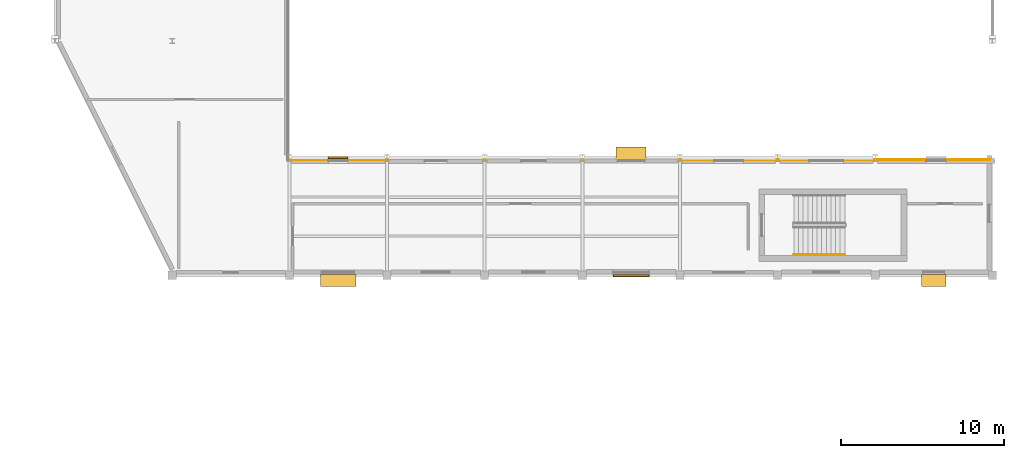
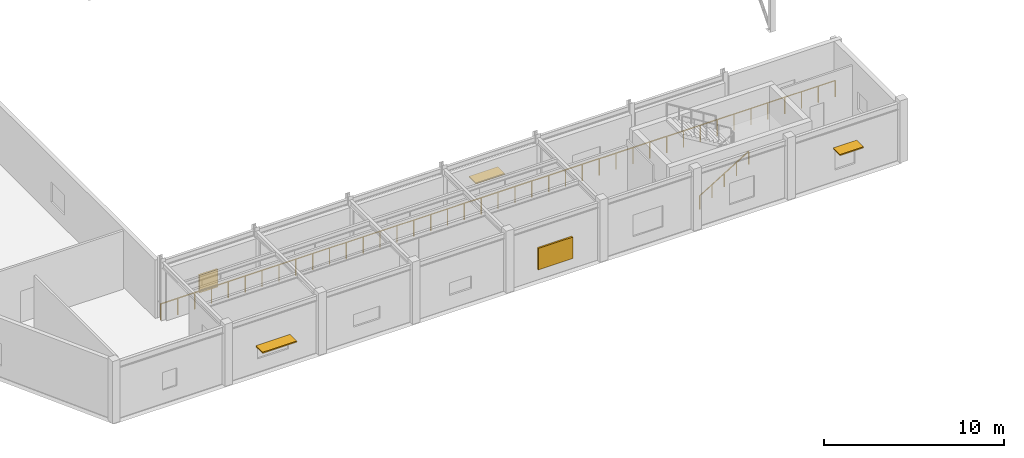
# One storey, part 58 of 60: 5 shading devices, 2 railings.
"""IFC4 building model written with IfcOpenShell, lengths in metres."""

from ifc_helpers import new_model, si_unit, direction, frame, origin, origin_2d, place, context, subcontext, project, spatial, rectangle, circle, extrude, material, layer, layer_set, type_object, element, save


model = new_model("IFC4")

# Units and contexts
model_context = context("Model", 3, precision=1e-05, world=origin(), true_north=direction((0.0, 1.0)))
body_context = subcontext(model_context, "Body", "Model", "MODEL_VIEW")
ifc_project = project(units=[si_unit("LENGTHUNIT", "METRE"), si_unit("AREAUNIT", "SQUARE_METRE"), si_unit("VOLUMEUNIT", "CUBIC_METRE"), si_unit("PLANEANGLEUNIT", "RADIAN"), si_unit("MASSUNIT", "GRAM", prefix="KILO")], contexts=[model_context])

# Site, building, storey
site_placement = place(None, origin())
site = spatial("IfcSite", under=ifc_project, at=site_placement, CompositionType="ELEMENT")
building_placement = place(site_placement, origin())
building = spatial("IfcBuilding", under=site, at=building_placement, Name="Brisavento Harbour Community Centre", CompositionType="ELEMENT")
storey_placement = place(building_placement, frame((0.0, 0.0, 4.5)))
storey = spatial("IfcBuildingStorey", under=building, at=storey_placement, Name="L01", CompositionType="ELEMENT", Elevation=4.5)

# Railings
ifc_material_1 = material(Name="Stainless steel 1.4401", Category="steel")
railing_type_1 = type_object("IfcRailingType", Name="RL-ATR-BAL", PredefinedType="BALUSTRADE", material=ifc_material_1)
railing_1_placement = place(storey_placement, frame((129.5, 86.300048828125, 0.0)))
element("IfcRailing", 1, at=railing_1_placement, inside=storey, type_object=railing_type_1, Name="L01 atrium and gallery balustrade BAL-V4-GAL-S", PredefinedType="BALUSTRADE", context=body_context, shape_type="SweptSolid", body=[
    extrude(circle(Radius=0.02392578125, at=origin_2d()), frame((0.0, 0.0, 1.09619140625), z_axis=(1.0, 0.0, 0.0), x_axis=(0.0, 1.0, 0.0)), (0.0, 0.0, 1.0), 43.14990234375),
    extrude(circle(Radius=0.02099609375, at=origin_2d()), origin(), (0.0, 0.0, 1.0), 1.072021484375),
    extrude(circle(Radius=0.02099609375, at=origin_2d()), frame((1.078857421875, 0.0, 0.0)), (0.0, 0.0, 1.0), 1.072021484375),
    extrude(circle(Radius=0.02099609375, at=origin_2d()), frame((2.157470703125, 0.0, 0.0)), (0.0, 0.0, 1.0), 1.072021484375),
    extrude(circle(Radius=0.02099609375, at=origin_2d()), frame((3.236328125, 0.0, 0.0)), (0.0, 0.0, 1.0), 1.072021484375),
    extrude(circle(Radius=0.02099609375, at=origin_2d()), frame((4.31494140625, 0.0, 0.0)), (0.0, 0.0, 1.0), 1.072021484375),
    extrude(circle(Radius=0.02099609375, at=origin_2d()), frame((5.393798828125, 0.0, 0.0)), (0.0, 0.0, 1.0), 1.072021484375),
    extrude(circle(Radius=0.02099609375, at=origin_2d()), frame((6.472412109375, 0.0, 0.0)), (0.0, 0.0, 1.0), 1.072021484375),
    extrude(circle(Radius=0.02099609375, at=origin_2d()), frame((7.55126953125, 0.0, 0.0)), (0.0, 0.0, 1.0), 1.072021484375),
    extrude(circle(Radius=0.02099609375, at=origin_2d()), frame((8.6298828125, 0.0, 0.0)), (0.0, 0.0, 1.0), 1.072021484375),
    extrude(circle(Radius=0.02099609375, at=origin_2d()), frame((9.708740234375, 0.0, 0.0)), (0.0, 0.0, 1.0), 1.072021484375),
    extrude(circle(Radius=0.02099609375, at=origin_2d()), frame((10.78759765625, 0.0, 0.0)), (0.0, 0.0, 1.0), 1.072021484375),
    extrude(circle(Radius=0.02099609375, at=origin_2d()), frame((11.8662109375, 0.0, 0.0)), (0.0, 0.0, 1.0), 1.072021484375),
    extrude(circle(Radius=0.02099609375, at=origin_2d()), frame((12.945068359375, 0.0, 0.0)), (0.0, 0.0, 1.0), 1.072021484375),
    extrude(circle(Radius=0.02099609375, at=origin_2d()), frame((14.023681640625, 0.0, 0.0)), (0.0, 0.0, 1.0), 1.072021484375),
    extrude(circle(Radius=0.02099609375, at=origin_2d()), frame((15.1025390625, 0.0, 0.0)), (0.0, 0.0, 1.0), 1.072021484375),
    extrude(circle(Radius=0.02099609375, at=origin_2d()), frame((16.18115234375, 0.0, 0.0)), (0.0, 0.0, 1.0), 1.072021484375),
    extrude(circle(Radius=0.02099609375, at=origin_2d()), frame((17.260009765625, 0.0, 0.0)), (0.0, 0.0, 1.0), 1.072021484375),
    extrude(circle(Radius=0.02099609375, at=origin_2d()), frame((18.338623046875, 0.0, 0.0)), (0.0, 0.0, 1.0), 1.072021484375),
    extrude(circle(Radius=0.02099609375, at=origin_2d()), frame((19.41748046875, 0.0, 0.0)), (0.0, 0.0, 1.0), 1.072021484375),
    extrude(circle(Radius=0.02099609375, at=origin_2d()), frame((20.49609375, 0.0, 0.0)), (0.0, 0.0, 1.0), 1.072021484375),
    extrude(circle(Radius=0.02099609375, at=origin_2d()), frame((21.574951171875, 0.0, 0.0)), (0.0, 0.0, 1.0), 1.072021484375),
    extrude(circle(Radius=0.02099609375, at=origin_2d()), frame((22.65380859375, 0.0, 0.0)), (0.0, 0.0, 1.0), 1.072021484375),
    extrude(circle(Radius=0.02099609375, at=origin_2d()), frame((23.732421875, 0.0, 0.0)), (0.0, 0.0, 1.0), 1.072021484375),
    extrude(circle(Radius=0.02099609375, at=origin_2d()), frame((24.811279296875, 0.0, 0.0)), (0.0, 0.0, 1.0), 1.072021484375),
    extrude(circle(Radius=0.02099609375, at=origin_2d()), frame((25.889892578125, 0.0, 0.0)), (0.0, 0.0, 1.0), 1.072021484375),
    extrude(circle(Radius=0.02099609375, at=origin_2d()), frame((26.96875, 0.0, 0.0)), (0.0, 0.0, 1.0), 1.072021484375),
    extrude(circle(Radius=0.02099609375, at=origin_2d()), frame((28.04736328125, 0.0, 0.0)), (0.0, 0.0, 1.0), 1.072021484375),
    extrude(circle(Radius=0.02099609375, at=origin_2d()), frame((29.126220703125, 0.0, 0.0)), (0.0, 0.0, 1.0), 1.072021484375),
    extrude(circle(Radius=0.02099609375, at=origin_2d()), frame((30.204833984375, 0.0, 0.0)), (0.0, 0.0, 1.0), 1.072021484375),
    extrude(circle(Radius=0.02099609375, at=origin_2d()), frame((31.28369140625, 0.0, 0.0)), (0.0, 0.0, 1.0), 1.072021484375),
    extrude(circle(Radius=0.02099609375, at=origin_2d()), frame((32.3623046875, 0.0, 0.0)), (0.0, 0.0, 1.0), 1.072021484375),
    extrude(circle(Radius=0.02099609375, at=origin_2d()), frame((33.441162109375, 0.0, 0.0)), (0.0, 0.0, 1.0), 1.072021484375),
    extrude(circle(Radius=0.02099609375, at=origin_2d()), frame((34.52001953125, 0.0, 0.0)), (0.0, 0.0, 1.0), 1.072021484375),
    extrude(circle(Radius=0.02099609375, at=origin_2d()), frame((35.5986328125, 0.0, 0.0)), (0.0, 0.0, 1.0), 1.072021484375),
    extrude(circle(Radius=0.02099609375, at=origin_2d()), frame((36.677490234375, 0.0, 0.0)), (0.0, 0.0, 1.0), 1.072021484375),
    extrude(circle(Radius=0.02099609375, at=origin_2d()), frame((37.756103515625, 0.0, 0.0)), (0.0, 0.0, 1.0), 1.072021484375),
    extrude(circle(Radius=0.02099609375, at=origin_2d()), frame((38.8349609375, 0.0, 0.0)), (0.0, 0.0, 1.0), 1.072021484375),
    extrude(circle(Radius=0.02099609375, at=origin_2d()), frame((39.91357421875, 0.0, 0.0)), (0.0, 0.0, 1.0), 1.072021484375),
    extrude(circle(Radius=0.02099609375, at=origin_2d()), frame((40.992431640625, 0.0, 0.0)), (0.0, 0.0, 1.0), 1.072021484375),
    extrude(circle(Radius=0.02099609375, at=origin_2d()), frame((42.071044921875, 0.0, 0.0)), (0.0, 0.0, 1.0), 1.072021484375),
    extrude(circle(Radius=0.02099609375, at=origin_2d()), frame((43.14990234375, 0.0, 0.0)), (0.0, 0.0, 1.0), 1.072021484375),
])
railing_type_2 = type_object("IfcRailingType", Name="RL-ST-HAND", PredefinedType="HANDRAIL", material=ifc_material_1)
railing_2_placement = place(storey_placement, frame((160.60009765625, 80.449951171875, 0.175048828125)))
element("IfcRailing", 2, at=railing_2_placement, inside=storey, type_object=railing_type_2, Name="L01 ST-06 stair handrail 1", PredefinedType="HANDRAIL", context=body_context, shape_type="SweptSolid", body=[
    extrude(circle(Radius=0.02392578125, at=origin_2d()), frame((0.0, 0.0, 0.8759765625), z_axis=(0.852166034122, 0.0, 0.523271488128), x_axis=(0.0, 1.0, 0.0)), (0.0, 0.0, 1.0), 3.678955078125),
    extrude(circle(Radius=0.02099609375, at=origin_2d()), origin(), (0.0, 0.0, 1.0), 0.851806640625),
    extrude(circle(Radius=0.02099609375, at=origin_2d()), frame((0.78369140625, 0.0, 0.481201171875)), (0.0, 0.0, 1.0), 0.851806640625),
    extrude(circle(Radius=0.02099609375, at=origin_2d()), frame((1.5673828125, 0.0, 0.96240234375)), (0.0, 0.0, 1.0), 0.851806640625),
    extrude(circle(Radius=0.02099609375, at=origin_2d()), frame((2.351318359375, 0.0, 1.44384765625)), (0.0, 0.0, 1.0), 0.851806640625),
    extrude(circle(Radius=0.02099609375, at=origin_2d()), frame((3.135009765625, 0.0, 1.925048828125)), (0.0, 0.0, 1.0), 0.851806640625),
])

# Shading devices
ifc_material_2 = material(Name="Off-white precast concrete C40/50", Category="concrete")
ifc_layer_1 = layer(ifc_material_2, 0.080078125, Name="Off-white precast concrete C40/50")
ifc_layer_set_1 = layer_set([ifc_layer_1], Name="Off-white precast concrete C40/50")
shading_device_type_1 = type_object("IfcShadingDeviceType", Name="SHD-BLADE", PredefinedType="USERDEFINED", material=ifc_layer_set_1)
shading_device_1_placement = place(storey_placement, frame((169.199951171875, 78.8701171875, 2.2099609375), z_axis=(0.0, 0.0, 1.0), x_axis=(-1.0, 0.0, 0.0)))
element("IfcShadingDevice", 3, at=shading_device_1_placement, inside=storey, type_object=shading_device_type_1, Name="L01 precast storm sunshade blade 15", ObjectType="SUNSHADE BLADE", PredefinedType="USERDEFINED", context=body_context, shape_type="SweptSolid", body=[
    extrude(rectangle(XDim=1.5, YDim=0.75, at=origin_2d()), origin(), (0.0, 0.0, 1.0), 0.080078125),
])
shading_device_2_placement = place(storey_placement, frame((132.60009765625, 78.8798828125, 1.760009765625), z_axis=(0.0, 0.0, 1.0), x_axis=(-1.0, 0.0, 0.0)))
element("IfcShadingDevice", 4, at=shading_device_2_placement, inside=storey, type_object=shading_device_type_1, Name="L01 precast storm sunshade blade 17", ObjectType="SUNSHADE BLADE", PredefinedType="USERDEFINED", context=body_context, shape_type="SweptSolid", body=[
    extrude(rectangle(XDim=2.199951171875, YDim=0.75, at=origin_2d()), origin(), (0.0, 0.0, 1.0), 0.080078125),
])
shading_device_3_placement = place(storey_placement, frame((150.60009765625, 86.7099609375, 2.10986328125), z_axis=(0.0, 0.0, 1.0), x_axis=(1.0, 0.0, 0.0)))
element("IfcShadingDevice", 5, at=shading_device_3_placement, inside=storey, type_object=shading_device_type_1, Name="L01 precast storm sunshade blade 19", ObjectType="SUNSHADE BLADE", PredefinedType="USERDEFINED", context=body_context, shape_type="SweptSolid", body=[
    extrude(rectangle(XDim=1.85009765625, YDim=0.75, at=origin_2d()), origin(), (0.0, 0.0, 1.0), 0.080078125),
])
ifc_material_3 = material(Name="Marine-anodised aluminium AW-6063-T6", Category="aluminium")
ifc_layer_2 = layer(ifc_material_3, 0.1201171875, Name="Marine-anodised aluminium AW-6063-T6")
ifc_layer_set_2 = layer_set([ifc_layer_2], Name="Marine-anodised aluminium AW-6063-T6")
shading_device_type_2 = type_object("IfcShadingDeviceType", Name="SHD-LOUVRE", PredefinedType="JALOUSIE", material=ifc_layer_set_2)
shading_device_4_placement = place(storey_placement, frame((150.60009765625, 79.1650390625, 0.75), z_axis=(0.0, 0.0, 1.0), x_axis=(-1.0, 0.0, 0.0)))
element("IfcShadingDevice", 6, at=shading_device_4_placement, inside=storey, type_object=shading_device_type_2, Name="L01 hurricane storm louvre 16", PredefinedType="JALOUSIE", context=body_context, shape_type="SweptSolid", body=[
    extrude(rectangle(XDim=2.199951171875, YDim=0.1201171875, at=origin_2d()), origin(), (0.0, 0.0, 1.0), 1.449951171875),
])
shading_device_5_placement = place(storey_placement, frame((132.60009765625, 86.425048828125, 0.89990234375), z_axis=(0.0, 0.0, 1.0), x_axis=(1.0, 0.0, 0.0)))
element("IfcShadingDevice", 7, at=shading_device_5_placement, inside=storey, type_object=shading_device_type_2, Name="L01 hurricane storm louvre 18", PredefinedType="JALOUSIE", context=body_context, shape_type="SweptSolid", body=[
    extrude(rectangle(XDim=1.199951171875, YDim=0.1201171875, at=origin_2d()), origin(), (0.0, 0.0, 1.0), 1.199951171875),
])

save(model, "model.ifc")
